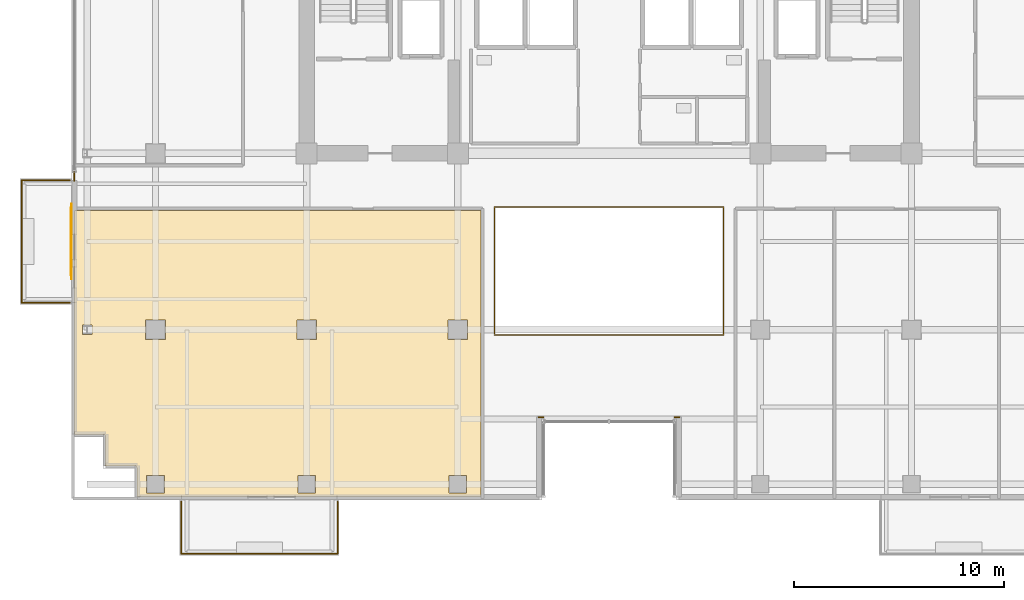
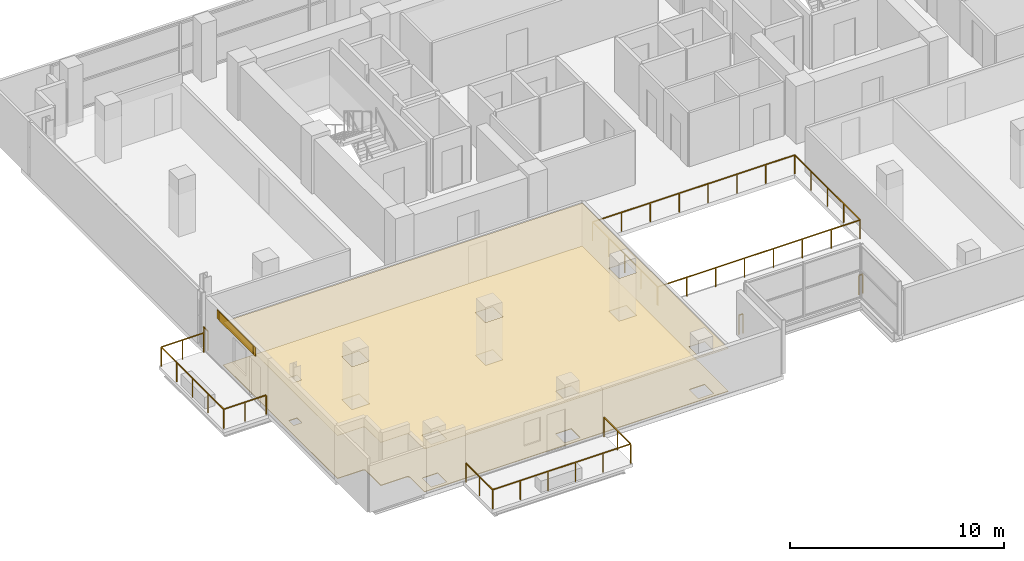
# One storey, part 19 of 23: 6 railings, 3 coverings, 1 shading device.
"""IFC4 building model written with IfcOpenShell, lengths in metres."""

from ifc_helpers import new_model, si_unit, direction, frame, origin, origin_2d, place, context, subcontext, project, spatial, polyline, rectangle, outline, extrude, source, transform, mapped, material, layer, layer_set, type_object, element, save


model = new_model("IFC4")

# Units and contexts
model_context = context("Model", 3, precision=1e-05, world=origin(), true_north=direction((0.0, 1.0)))
body_context = subcontext(model_context, "Body", "Model", "MODEL_VIEW")
ifc_project = project(units=[si_unit("LENGTHUNIT", "METRE"), si_unit("AREAUNIT", "SQUARE_METRE"), si_unit("VOLUMEUNIT", "CUBIC_METRE"), si_unit("PLANEANGLEUNIT", "RADIAN"), si_unit("MASSUNIT", "GRAM", prefix="KILO")], contexts=[model_context])

# Site, building, storey
site_placement = place(None, origin())
site = spatial("IfcSite", under=ifc_project, at=site_placement, CompositionType="ELEMENT")
building_placement = place(site_placement, origin())
building = spatial("IfcBuilding", under=site, at=building_placement, Name="Zarnakvel Exchange Tower", CompositionType="ELEMENT")
storey_placement = place(building_placement, frame((0.0, 0.0, 123.10009765625)))
storey = spatial("IfcBuildingStorey", under=building, at=storey_placement, Name="L34", CompositionType="ELEMENT", Elevation=123.10009765625)

# Coverings
ifc_material_1 = material(Name="Perforated Bronze Acoustic Metal Ceiling", Category="aluminium")
ifc_layer_1 = layer(ifc_material_1, 0.02001953125)
ifc_layer_set_1 = layer_set([ifc_layer_1], Name="Perforated Bronze Acoustic Metal Ceiling")
covering_type_1 = type_object("IfcCoveringType", Name="CLG-01", PredefinedType="CEILING", material=ifc_layer_set_1)
covering_1_placement = place(storey_placement, frame((0.0, 0.0, 2.454833984375)))
element("IfcCovering", 1, at=covering_1_placement, inside=storey, type_object=covering_type_1, Name="L34 Suspended Acoustic Ceiling (Equities Trading Floor)", PredefinedType="CEILING", context=body_context, shape_type="SweptSolid", body=[
    extrude(outline(polyline([(-6.10009765625, -3.909912109375), (-6.10009765625, -17.550048828125), (-22.47998046875, -17.550048828125), (-22.47998046875, -16.199951171875), (-22.48046875, -16.188232421875), (-22.482421875, -16.176513671875), (-22.485107421875, -16.165283203125), (-22.489013671875, -16.154052734375), (-22.494140625, -16.143310546875), (-22.500244140625, -16.13330078125), (-22.50732421875, -16.123779296875), (-22.51513671875, -16.115234375), (-22.52392578125, -16.107177734375), (-22.533447265625, -16.100341796875), (-22.54345703125, -16.09423828125), (-22.55419921875, -16.089111328125), (-22.565185546875, -16.085205078125), (-22.57666015625, -16.082275390625), (-22.588134765625, -16.08056640625), (-22.60009765625, -16.080078125), (-23.97998046875, -16.080078125), (-23.97998046875, -14.699951171875), (-23.98046875, -14.688232421875), (-23.982421875, -14.676513671875), (-23.985107421875, -14.665283203125), (-23.989013671875, -14.654052734375), (-23.994140625, -14.643310546875), (-24.000244140625, -14.63330078125), (-24.00732421875, -14.623779296875), (-24.01513671875, -14.615234375), (-24.02392578125, -14.607177734375), (-24.033447265625, -14.600341796875), (-24.04345703125, -14.59423828125), (-24.05419921875, -14.589111328125), (-24.065185546875, -14.585205078125), (-24.07666015625, -14.582275390625), (-24.088134765625, -14.58056640625), (-24.10009765625, -14.580078125), (-25.449951171875, -14.580078125), (-25.449951171875, -3.909912109375), (-6.10009765625, -3.909912109375)]), holes=[polyline([(-7.669921875, -10.070068359375), (-6.72998046875, -10.070068359375), (-6.72998046875, -9.1298828125), (-7.669921875, -9.1298828125), (-7.669921875, -10.070068359375)]), polyline([(-6.780029296875, -17.3701171875), (-6.780029296875, -16.530029296875), (-7.6201171875, -16.530029296875), (-7.6201171875, -17.3701171875), (-6.780029296875, -17.3701171875)]), polyline([(-13.929931640625, -10.070068359375), (-13.929931640625, -9.1298828125), (-14.8701171875, -9.1298828125), (-14.8701171875, -10.070068359375), (-13.929931640625, -10.070068359375)]), polyline([(-13.97998046875, -17.3701171875), (-13.97998046875, -16.530029296875), (-14.820068359375, -16.530029296875), (-14.820068359375, -17.3701171875), (-13.97998046875, -17.3701171875)]), polyline([(-21.1298828125, -10.070068359375), (-21.1298828125, -9.1298828125), (-22.070068359375, -9.1298828125), (-22.070068359375, -10.070068359375), (-21.1298828125, -10.070068359375)]), polyline([(-21.179931640625, -17.3701171875), (-21.179931640625, -16.530029296875), (-22.02001953125, -16.530029296875), (-22.02001953125, -17.3701171875), (-21.179931640625, -17.3701171875)]), polyline([(-25.072021484375, -9.823486328125), (-24.6279296875, -9.823486328125), (-24.6279296875, -9.37646484375), (-25.072021484375, -9.37646484375), (-25.072021484375, -9.823486328125)])]), origin(), (0.0, 0.0, 1.0), 0.02001953125),
])
ifc_material_2 = material(Name="Heavy-Duty Raised Access Floor Panel", Category="steel")
ifc_layer_2 = layer(ifc_material_2, 0.034912109375)
ifc_layer_set_2 = layer_set([ifc_layer_2], Name="Heavy-Duty Raised Access Floor Panel")
covering_type_2 = type_object("IfcCoveringType", Name="FLR-02", PredefinedType="FLOORING", material=ifc_layer_set_2)
covering_2_placement = place(storey_placement, origin())
element("IfcCovering", 2, at=covering_2_placement, inside=storey, type_object=covering_type_2, Name="L34 Floor Finish (Equities Trading Floor)", PredefinedType="FLOORING", context=body_context, shape_type="SweptSolid", body=[
    extrude(outline(polyline([(-6.10009765625, -3.909912109375), (-6.10009765625, -17.550048828125), (-22.47998046875, -17.550048828125), (-22.47998046875, -16.199951171875), (-22.48046875, -16.188232421875), (-22.482421875, -16.176513671875), (-22.485107421875, -16.165283203125), (-22.489013671875, -16.154052734375), (-22.494140625, -16.143310546875), (-22.500244140625, -16.13330078125), (-22.50732421875, -16.123779296875), (-22.51513671875, -16.115234375), (-22.52392578125, -16.107177734375), (-22.533447265625, -16.100341796875), (-22.54345703125, -16.09423828125), (-22.55419921875, -16.089111328125), (-22.565185546875, -16.085205078125), (-22.57666015625, -16.082275390625), (-22.588134765625, -16.08056640625), (-22.60009765625, -16.080078125), (-23.97998046875, -16.080078125), (-23.97998046875, -14.699951171875), (-23.98046875, -14.688232421875), (-23.982421875, -14.676513671875), (-23.985107421875, -14.665283203125), (-23.989013671875, -14.654052734375), (-23.994140625, -14.643310546875), (-24.000244140625, -14.63330078125), (-24.00732421875, -14.623779296875), (-24.01513671875, -14.615234375), (-24.02392578125, -14.607177734375), (-24.033447265625, -14.600341796875), (-24.04345703125, -14.59423828125), (-24.05419921875, -14.589111328125), (-24.065185546875, -14.585205078125), (-24.07666015625, -14.582275390625), (-24.088134765625, -14.58056640625), (-24.10009765625, -14.580078125), (-25.449951171875, -14.580078125), (-25.449951171875, -3.909912109375), (-6.10009765625, -3.909912109375)]), holes=[polyline([(-7.669921875, -10.070068359375), (-6.72998046875, -10.070068359375), (-6.72998046875, -9.1298828125), (-7.669921875, -9.1298828125), (-7.669921875, -10.070068359375)]), polyline([(-6.780029296875, -17.3701171875), (-6.780029296875, -16.530029296875), (-7.6201171875, -16.530029296875), (-7.6201171875, -17.3701171875), (-6.780029296875, -17.3701171875)]), polyline([(-13.929931640625, -10.070068359375), (-13.929931640625, -9.1298828125), (-14.8701171875, -9.1298828125), (-14.8701171875, -10.070068359375), (-13.929931640625, -10.070068359375)]), polyline([(-13.97998046875, -17.3701171875), (-13.97998046875, -16.530029296875), (-14.820068359375, -16.530029296875), (-14.820068359375, -17.3701171875), (-13.97998046875, -17.3701171875)]), polyline([(-21.1298828125, -10.070068359375), (-21.1298828125, -9.1298828125), (-22.070068359375, -9.1298828125), (-22.070068359375, -10.070068359375), (-21.1298828125, -10.070068359375)]), polyline([(-21.179931640625, -17.3701171875), (-21.179931640625, -16.530029296875), (-22.02001953125, -16.530029296875), (-22.02001953125, -17.3701171875), (-21.179931640625, -17.3701171875)]), polyline([(-25.072021484375, -9.823486328125), (-24.6279296875, -9.823486328125), (-24.6279296875, -9.37646484375), (-25.072021484375, -9.37646484375), (-25.072021484375, -9.823486328125)])]), origin(), (0.0, 0.0, 1.0), 0.034912109375),
])

# Railings
ifc_material_3 = material(Name="Architectural Bronze Anodised Aluminium", Category="aluminium")
railing_type_1 = type_object("IfcRailingType", Name="GR-02", PredefinedType="GUARDRAIL", material=ifc_material_3)
railing_1_placement = place(storey_placement, frame((-20.3701171875, -17.780029296875, -0.03515625)))
element("IfcRailing", 3, at=railing_1_placement, inside=storey, type_object=railing_type_1, Name="L34 Balcony Guardrail BAL-L34-SW", PredefinedType="GUARDRAIL", context=body_context, shape_type="SweptSolid", body=[
    extrude(rectangle(XDim=0.048095703125, YDim=0.048095703125, at=origin_2d()), frame((0.0, 0.0, 1.09619140625), z_axis=(0.0, -1.0, 0.0), x_axis=(1.0, 0.0, 0.0)), (0.0, 0.0, 1.0), 2.489990234375),
    extrude(rectangle(XDim=0.048095703125, YDim=0.048095703125, at=origin_2d()), frame((0.0, -2.489990234375, 1.09619140625), z_axis=(1.0, 0.0, 0.0), x_axis=(0.0, 1.0, 0.0)), (0.0, 0.0, 1.0), 7.440185546875),
    extrude(rectangle(XDim=0.048095703125, YDim=0.048095703125, at=origin_2d()), frame((7.440185546875, -2.489990234375, 1.09619140625), z_axis=(0.0, 1.0, 0.0), x_axis=(-1.0, 0.0, 0.0)), (0.0, 0.0, 1.0), 2.489990234375),
    extrude(rectangle(XDim=0.0419921875, YDim=0.0419921875, at=origin_2d()), origin(), (0.0, 0.0, 1.0), 1.072021484375),
    extrude(rectangle(XDim=0.0419921875, YDim=0.0419921875, at=origin_2d()), frame((0.0, -1.2451171875, 0.0)), (0.0, 0.0, 1.0), 1.072021484375),
    extrude(rectangle(XDim=0.0419921875, YDim=0.0419921875, at=origin_2d()), frame((0.0, -2.489990234375, 0.0)), (0.0, 0.0, 1.0), 1.072021484375),
    extrude(rectangle(XDim=0.0419921875, YDim=0.0419921875, at=origin_2d()), frame((1.488037109375, -2.489990234375, 0.0)), (0.0, 0.0, 1.0), 1.072021484375),
    extrude(rectangle(XDim=0.0419921875, YDim=0.0419921875, at=origin_2d()), frame((2.97607421875, -2.489990234375, 0.0)), (0.0, 0.0, 1.0), 1.072021484375),
    extrude(rectangle(XDim=0.0419921875, YDim=0.0419921875, at=origin_2d()), frame((4.464111328125, -2.489990234375, 0.0)), (0.0, 0.0, 1.0), 1.072021484375),
    extrude(rectangle(XDim=0.0419921875, YDim=0.0419921875, at=origin_2d()), frame((5.9521484375, -2.489990234375, 0.0)), (0.0, 0.0, 1.0), 1.072021484375),
    extrude(rectangle(XDim=0.0419921875, YDim=0.0419921875, at=origin_2d()), frame((7.440185546875, -2.489990234375, 0.0)), (0.0, 0.0, 1.0), 1.072021484375),
    extrude(rectangle(XDim=0.0419921875, YDim=0.0419921875, at=origin_2d()), frame((7.440185546875, -1.2451171875, 0.0)), (0.0, 0.0, 1.0), 1.072021484375),
    extrude(rectangle(XDim=0.0419921875, YDim=0.0419921875, at=origin_2d()), frame((7.440185546875, 0.0, 0.0)), (0.0, 0.0, 1.0), 1.072021484375),
])
railing_2_placement = place(storey_placement, frame((-25.679931640625, -8.320068359375, -0.03515625)))
element("IfcRailing", 4, at=railing_2_placement, inside=storey, type_object=railing_type_1, Name="L34 Balcony Guardrail BAL-L34-W", PredefinedType="GUARDRAIL", context=body_context, shape_type="SweptSolid", body=[
    extrude(rectangle(XDim=0.048095703125, YDim=0.048095703125, at=origin_2d()), frame((0.0, 0.0, 1.09619140625), z_axis=(-1.0, 0.0, 0.0), x_axis=(0.0, -1.0, 0.0)), (0.0, 0.0, 1.0), 2.2900390625),
    extrude(rectangle(XDim=0.048095703125, YDim=0.048095703125, at=origin_2d()), frame((-2.2900390625, 0.0, 1.09619140625), z_axis=(0.0, 1.0, 0.0), x_axis=(-1.0, 0.0, 0.0)), (0.0, 0.0, 1.0), 5.840087890625),
    extrude(rectangle(XDim=0.048095703125, YDim=0.048095703125, at=origin_2d()), frame((-2.2900390625, 5.840087890625, 1.09619140625), z_axis=(1.0, 0.0, 0.0), x_axis=(0.0, 1.0, 0.0)), (0.0, 0.0, 1.0), 2.2900390625),
    extrude(rectangle(XDim=0.0419921875, YDim=0.0419921875, at=origin_2d()), origin(), (0.0, 0.0, 1.0), 1.072021484375),
    extrude(rectangle(XDim=0.0419921875, YDim=0.0419921875, at=origin_2d()), frame((-1.14501953125, 0.0, 0.0)), (0.0, 0.0, 1.0), 1.072021484375),
    extrude(rectangle(XDim=0.0419921875, YDim=0.0419921875, at=origin_2d()), frame((-2.2900390625, 0.0, 0.0)), (0.0, 0.0, 1.0), 1.072021484375),
    extrude(rectangle(XDim=0.0419921875, YDim=0.0419921875, at=origin_2d()), frame((-2.2900390625, 1.4599609375, 0.0)), (0.0, 0.0, 1.0), 1.072021484375),
    extrude(rectangle(XDim=0.0419921875, YDim=0.0419921875, at=origin_2d()), frame((-2.2900390625, 2.919921875, 0.0)), (0.0, 0.0, 1.0), 1.072021484375),
    extrude(rectangle(XDim=0.0419921875, YDim=0.0419921875, at=origin_2d()), frame((-2.2900390625, 4.380126953125, 0.0)), (0.0, 0.0, 1.0), 1.072021484375),
    extrude(rectangle(XDim=0.0419921875, YDim=0.0419921875, at=origin_2d()), frame((-2.2900390625, 5.840087890625, 0.0)), (0.0, 0.0, 1.0), 1.072021484375),
    extrude(rectangle(XDim=0.0419921875, YDim=0.0419921875, at=origin_2d()), frame((-1.14501953125, 5.840087890625, 0.0)), (0.0, 0.0, 1.0), 1.072021484375),
    extrude(rectangle(XDim=0.0419921875, YDim=0.0419921875, at=origin_2d()), frame((0.0, 5.840087890625, 0.0)), (0.0, 0.0, 1.0), 1.072021484375),
])
railing_3_placement = place(storey_placement, frame((-25.4599609375, -2.5, 0.0)))
element("IfcRailing", 5, at=railing_3_placement, inside=storey, type_object=railing_type_1, Name="L34 Corner Spandrel Balustrade #2", PredefinedType="GUARDRAIL", context=body_context, shape_type="SweptSolid", body=[
    extrude(rectangle(XDim=0.048095703125, YDim=0.048095703125, at=origin_2d()), frame((0.0, 0.0, 1.09619140625), z_axis=(0.0, 1.0, 0.0), x_axis=(-1.0, 0.0, 0.0)), (0.0, 0.0, 1.0), 0.39990234375),
    extrude(rectangle(XDim=0.0419921875, YDim=0.0419921875, at=origin_2d()), origin(), (0.0, 0.0, 1.0), 1.072021484375),
    extrude(rectangle(XDim=0.0419921875, YDim=0.0419921875, at=origin_2d()), frame((0.0, 0.39990234375, 0.0)), (0.0, 0.0, 1.0), 1.072021484375),
])
for number, where, name in (
    (6, (3.340087890625, -13.760009765625, 0.0), "L34 Corner Spandrel Balustrade #18"),
    (7, (-3.1201171875, -13.760009765625, 0.0), "L34 Corner Spandrel Balustrade #19"),
):
    element("IfcRailing", number, at=place(storey_placement, frame(where)), inside=storey, type_object=railing_type_1, Name=name, PredefinedType="GUARDRAIL", context=body_context, shape_type="SweptSolid", body=[
        extrude(rectangle(XDim=0.048095703125, YDim=0.048095703125, at=origin_2d()), frame((0.0, 0.0, 1.09619140625), z_axis=(-1.0, 0.0, 0.0), x_axis=(0.0, -1.0, 0.0)), (0.0, 0.0, 1.0), 0.219970703125),
        extrude(rectangle(XDim=0.0419921875, YDim=0.0419921875, at=origin_2d()), origin(), (0.0, 0.0, 1.0), 1.072021484375),
        extrude(rectangle(XDim=0.0419921875, YDim=0.0419921875, at=origin_2d()), frame((-0.219970703125, 0.0, 0.0)), (0.0, 0.0, 1.0), 1.072021484375),
    ])
railing_type_2 = type_object("IfcRailingType", Name="GR-03", PredefinedType="GUARDRAIL", material=ifc_material_3)
railing_4_placement = place(storey_placement, frame((-5.449951171875, -9.85009765625, 0.0)))
element("IfcRailing", 8, at=railing_4_placement, inside=storey, type_object=railing_type_2, Name="L34 Atrium Void Perimeter Balustrade", PredefinedType="GUARDRAIL", context=body_context, shape_type="SweptSolid", body=[
    extrude(rectangle(XDim=0.048095703125, YDim=0.048095703125, at=origin_2d()), frame((0.0, 0.0, 1.076171875), z_axis=(1.0, 0.0, 0.0), x_axis=(0.0, 1.0, 0.0)), (0.0, 0.0, 1.0), 10.89990234375),
    extrude(rectangle(XDim=0.048095703125, YDim=0.048095703125, at=origin_2d()), frame((10.89990234375, 0.0, 1.076171875), z_axis=(0.0, 1.0, 0.0), x_axis=(-1.0, 0.0, 0.0)), (0.0, 0.0, 1.0), 6.10009765625),
    extrude(rectangle(XDim=0.048095703125, YDim=0.048095703125, at=origin_2d()), frame((10.89990234375, 6.10009765625, 1.076171875), z_axis=(-1.0, 0.0, 0.0), x_axis=(0.0, -1.0, 0.0)), (0.0, 0.0, 1.0), 10.89990234375),
    extrude(rectangle(XDim=0.048095703125, YDim=0.048095703125, at=origin_2d()), frame((0.0, 6.10009765625, 1.076171875), z_axis=(0.0, -1.0, 0.0), x_axis=(1.0, 0.0, 0.0)), (0.0, 0.0, 1.0), 6.02001953125),
    extrude(rectangle(XDim=0.0419921875, YDim=0.0419921875, at=origin_2d()), origin(), (0.0, 0.0, 1.0), 1.052001953125),
    extrude(rectangle(XDim=0.0419921875, YDim=0.0419921875, at=origin_2d()), frame((1.55712890625, 0.0, 0.0)), (0.0, 0.0, 1.0), 1.052001953125),
    extrude(rectangle(XDim=0.0419921875, YDim=0.0419921875, at=origin_2d()), frame((3.1142578125, 0.0, 0.0)), (0.0, 0.0, 1.0), 1.052001953125),
    extrude(rectangle(XDim=0.0419921875, YDim=0.0419921875, at=origin_2d()), frame((4.67138671875, 0.0, 0.0)), (0.0, 0.0, 1.0), 1.052001953125),
    extrude(rectangle(XDim=0.0419921875, YDim=0.0419921875, at=origin_2d()), frame((6.228515625, 0.0, 0.0)), (0.0, 0.0, 1.0), 1.052001953125),
    extrude(rectangle(XDim=0.0419921875, YDim=0.0419921875, at=origin_2d()), frame((7.78564453125, 0.0, 0.0)), (0.0, 0.0, 1.0), 1.052001953125),
    extrude(rectangle(XDim=0.0419921875, YDim=0.0419921875, at=origin_2d()), frame((9.3427734375, 0.0, 0.0)), (0.0, 0.0, 1.0), 1.052001953125),
    extrude(rectangle(XDim=0.0419921875, YDim=0.0419921875, at=origin_2d()), frame((10.89990234375, 0.0, 0.0)), (0.0, 0.0, 1.0), 1.052001953125),
    extrude(rectangle(XDim=0.0419921875, YDim=0.0419921875, at=origin_2d()), frame((10.89990234375, 1.52490234375, 0.0)), (0.0, 0.0, 1.0), 1.052001953125),
    extrude(rectangle(XDim=0.0419921875, YDim=0.0419921875, at=origin_2d()), frame((10.89990234375, 3.050048828125, 0.0)), (0.0, 0.0, 1.0), 1.052001953125),
    extrude(rectangle(XDim=0.0419921875, YDim=0.0419921875, at=origin_2d()), frame((10.89990234375, 4.5751953125, 0.0)), (0.0, 0.0, 1.0), 1.052001953125),
    extrude(rectangle(XDim=0.0419921875, YDim=0.0419921875, at=origin_2d()), frame((10.89990234375, 6.10009765625, 0.0)), (0.0, 0.0, 1.0), 1.052001953125),
    extrude(rectangle(XDim=0.0419921875, YDim=0.0419921875, at=origin_2d()), frame((9.3427734375, 6.10009765625, 0.0)), (0.0, 0.0, 1.0), 1.052001953125),
    extrude(rectangle(XDim=0.0419921875, YDim=0.0419921875, at=origin_2d()), frame((7.78564453125, 6.10009765625, 0.0)), (0.0, 0.0, 1.0), 1.052001953125),
    extrude(rectangle(XDim=0.0419921875, YDim=0.0419921875, at=origin_2d()), frame((6.228515625, 6.10009765625, 0.0)), (0.0, 0.0, 1.0), 1.052001953125),
    extrude(rectangle(XDim=0.0419921875, YDim=0.0419921875, at=origin_2d()), frame((4.67138671875, 6.10009765625, 0.0)), (0.0, 0.0, 1.0), 1.052001953125),
    extrude(rectangle(XDim=0.0419921875, YDim=0.0419921875, at=origin_2d()), frame((3.1142578125, 6.10009765625, 0.0)), (0.0, 0.0, 1.0), 1.052001953125),
    extrude(rectangle(XDim=0.0419921875, YDim=0.0419921875, at=origin_2d()), frame((1.55712890625, 6.10009765625, 0.0)), (0.0, 0.0, 1.0), 1.052001953125),
    extrude(rectangle(XDim=0.0419921875, YDim=0.0419921875, at=origin_2d()), frame((0.0, 6.10009765625, 0.0)), (0.0, 0.0, 1.0), 1.052001953125),
    extrude(rectangle(XDim=0.0419921875, YDim=0.0419921875, at=origin_2d()), frame((0.0, 4.59521484375, 0.0)), (0.0, 0.0, 1.0), 1.052001953125),
    extrude(rectangle(XDim=0.0419921875, YDim=0.0419921875, at=origin_2d()), frame((0.0, 3.090087890625, 0.0)), (0.0, 0.0, 1.0), 1.052001953125),
    extrude(rectangle(XDim=0.0419921875, YDim=0.0419921875, at=origin_2d()), frame((0.0, 1.5849609375, 0.0)), (0.0, 0.0, 1.0), 1.052001953125),
    extrude(rectangle(XDim=0.0419921875, YDim=0.0419921875, at=origin_2d()), frame((0.0, 0.080078125, 0.0)), (0.0, 0.0, 1.0), 1.052001953125),
])

# Covering
ifc_material_4 = material(Name="Warm Sandstone Terracotta Spandrel Tile", Category="masonry")
ifc_layer_3 = layer(ifc_material_4, 0.031982421875)
ifc_layer_set_3 = layer_set([ifc_layer_3], Name="Warm Sandstone Terracotta Spandrel Tile")
covering_type_3 = type_object("IfcCoveringType", Name="CL-02", PredefinedType="CLADDING", material=ifc_layer_set_3)
shared_shape_1 = source(origin(), body_context, "Body", "SweptSolid", [
    extrude(rectangle(XDim=3.60009765625, YDim=0.031982421875, at=origin_2d()), origin(), (0.0, 0.0, 1.0), 0.4951171875),
])
covering_3_placement = place(storey_placement, frame((-25.593994140625, -5.39990234375, 2.559814453125), z_axis=(0.0, 0.0, 1.0), x_axis=(0.0, 1.0, 0.0)))
element("IfcCovering", 9, at=covering_3_placement, inside=storey, type_object=covering_type_3, Name="L34 Ceramic Spandrel Tilework CL-02", PredefinedType="CLADDING", context=body_context, shape_type="MappedRepresentation", body=[
    mapped(shared_shape_1, transform((0.0, 0.0, 0.0), x_axis=(1.0, 0.0, 0.0), y_axis=(0.0, 1.0, 0.0), z_axis=(0.0, 0.0, 1.0), scale=1.0)),
])

# Shading device
ifc_material_5 = material(Name="Perforated Architectural Bronze Screen", Category="aluminium")
ifc_layer_4 = layer(ifc_material_5, 0.044921875)
ifc_layer_set_4 = layer_set([ifc_layer_4], Name="Perforated Architectural Bronze Screen")
shading_device_type = type_object("IfcShadingDeviceType", Name="SS-01", PredefinedType="JALOUSIE", material=ifc_layer_set_4)
shared_shape_2 = source(origin(), body_context, "Body", "SweptSolid", [
    extrude(rectangle(XDim=3.199951171875, YDim=0.044921875, at=origin_2d()), origin(), (0.0, 0.0, 1.0), 0.4951171875),
])
shading_device_placement = place(storey_placement, frame((-25.6005859375, -5.39990234375, 2.559814453125), z_axis=(0.0, 0.0, 1.0), x_axis=(0.0, 1.0, 0.0)))
element("IfcShadingDevice", 10, at=shading_device_placement, inside=storey, type_object=shading_device_type, Name="L34 Bronze Solar Shading Screen SS-01", PredefinedType="JALOUSIE", context=body_context, shape_type="MappedRepresentation", body=[
    mapped(shared_shape_2, transform((0.0, 0.0, 0.0), x_axis=(1.0, 0.0, 0.0), y_axis=(0.0, 1.0, 0.0), z_axis=(0.0, 0.0, 1.0), scale=1.0)),
])

save(model, "model.ifc")
